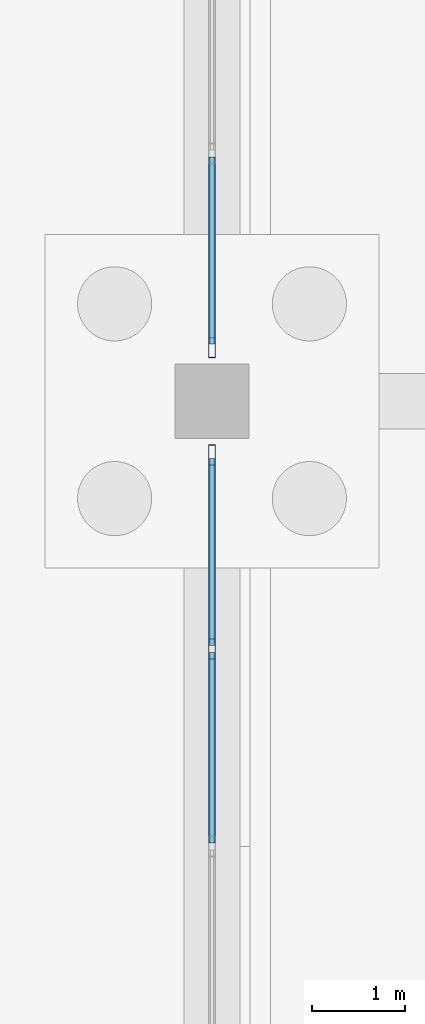
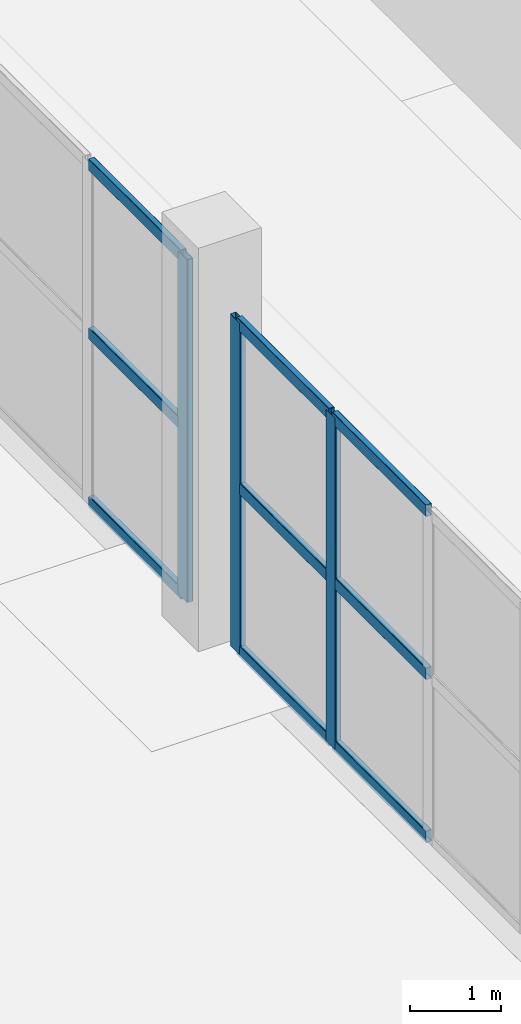
# One storey, part 19 of 65: 12 members, 2 elements without a shape of their own.
"""IFC4 building model written with IfcOpenShell, lengths in metres."""

from ifc_helpers import new_model, si_unit, direction, frame, origin, origin_2d, place, context, subcontext, project, spatial, hollow_rectangle, extrude, material, layer, layer_set, material_profile, profile_set, type_object, element, aggregate, save


model = new_model("IFC4")

# Units and contexts
model_context = context("Model", 3, precision=1e-05, world=origin(), true_north=direction((0.0, 1.0)))
body_context = subcontext(model_context, "Body", "Model", "MODEL_VIEW")
ifc_project = project(units=[si_unit("LENGTHUNIT", "METRE"), si_unit("AREAUNIT", "SQUARE_METRE"), si_unit("VOLUMEUNIT", "CUBIC_METRE"), si_unit("PLANEANGLEUNIT", "RADIAN"), si_unit("MASSUNIT", "GRAM", prefix="KILO")], contexts=[model_context])

# Site, building, storey
site_placement = place(None, origin())
site = spatial("IfcSite", under=ifc_project, at=site_placement, CompositionType="ELEMENT")
building_placement = place(site_placement, origin())
building = spatial("IfcBuilding", under=site, at=building_placement, Name="Zulmaris Art Gallery", CompositionType="ELEMENT")
storey_placement = place(building_placement, origin())
storey = spatial("IfcBuildingStorey", under=building, at=storey_placement, Name="L00", CompositionType="ELEMENT", Elevation=0.0)

# Curtain wall, members
ifc_material_1 = material(Name="Unitised Low-E Gallery Curtain Wall", Category="aluminium")
ifc_layer = layer(ifc_material_1, 0.179931640625)
ifc_layer_set = layer_set([ifc_layer], Name="Unitised Low-E Gallery Curtain Wall")
curtain_wall_type = type_object("IfcCurtainWallType", Name="CW-CW01", PredefinedType="NOTDEFINED", material=ifc_layer_set)
curtain_wall_1_placement = place(storey_placement, origin())
curtain_wall_1 = element("IfcCurtainWall", 1, at=curtain_wall_1_placement, inside=storey, type_object=curtain_wall_type, Name="L00 curtain wall 91", PredefinedType="NOTDEFINED")
ifc_material_2 = material(Name="Anodised Bronze Aluminium", Category="aluminium")
ifc_material_profile_1 = material_profile(ifc_material_2, hollow_rectangle(XDim=0.074951171875, YDim=0.219970703125, WallThickness=0.0048828125, InnerFilletRadius=0.007568359375, OuterFilletRadius=0.012451171875, at=origin_2d()), Name="ALU 75x220x5")
ifc_profile_set_1 = profile_set([ifc_material_profile_1], Name="Anodised Bronze Aluminium")
member_type_1 = type_object("IfcMemberType", Name="CWMUL-02", PredefinedType="MULLION", material=ifc_profile_set_1)
member_1_placement = place(storey_placement, frame((124.800048828125, 38.1298828125, 0.0), z_axis=(0.0, 0.0, 1.0), x_axis=(-1.0, 0.0, 0.0)))
member_1 = element("IfcMember", 2, at=member_1_placement, type_object=member_type_1, Name="CW01 mullion 4", PredefinedType="MULLION", context=body_context, shape_type="SweptSolid", body=[
    extrude(hollow_rectangle(XDim=0.074951171875, YDim=0.219970703125, WallThickness=0.0048828125, InnerFilletRadius=0.007568359375, OuterFilletRadius=0.012451171875, at=origin_2d()), origin(), (0.0, 0.0, 1.0), 4.43994140625),
])
member_2_placement = place(storey_placement, frame((124.800048828125, 40.222412109375, 0.0), z_axis=(0.0, 0.0, 1.0), x_axis=(-1.0, 0.0, 0.0)))
member_2 = element("IfcMember", 3, at=member_2_placement, type_object=member_type_1, Name="CW01 mullion 5", PredefinedType="MULLION", context=body_context, shape_type="SweptSolid", body=[
    extrude(hollow_rectangle(XDim=0.074951171875, YDim=0.219970703125, WallThickness=0.0048828125, InnerFilletRadius=0.007568359375, OuterFilletRadius=0.012451171875, at=origin_2d()), origin(), (0.0, 0.0, 1.0), 4.43994140625),
])

# Curtain wall, member
curtain_wall_2_placement = place(storey_placement, origin())
curtain_wall_2 = element("IfcCurtainWall", 4, at=curtain_wall_2_placement, inside=storey, type_object=curtain_wall_type, Name="L00 curtain wall 92", PredefinedType="NOTDEFINED")
member_3_placement = place(storey_placement, frame((124.800048828125, 41.37744140625, 0.0), z_axis=(0.0, 0.0, 1.0), x_axis=(-1.0, 0.0, 0.0)))
member_3 = element("IfcMember", 5, at=member_3_placement, type_object=member_type_1, Name="CW01 mullion 1", PredefinedType="MULLION", context=body_context, shape_type="SweptSolid", body=[
    extrude(hollow_rectangle(XDim=0.074951171875, YDim=0.219970703125, WallThickness=0.0048828125, InnerFilletRadius=0.007568359375, OuterFilletRadius=0.012451171875, at=origin_2d()), origin(), (0.0, 0.0, 1.0), 4.590087890625),
])

# Member
ifc_material_profile_2 = material_profile(ifc_material_2, hollow_rectangle(XDim=0.074951171875, YDim=0.159912109375, WallThickness=0.00390625, InnerFilletRadius=0.006103515625, OuterFilletRadius=0.010009765625, at=origin_2d()), Name="ALU 75x160x4")
ifc_profile_set_2 = profile_set([ifc_material_profile_2], Name="Anodised Bronze Aluminium")
member_type_2 = type_object("IfcMemberType", Name="CWTRN-02", PredefinedType="USERDEFINED", material=ifc_profile_set_2)
member_4_placement = place(storey_placement, frame((124.800048828125, 36.03759765625, 0.03759765625), z_axis=(0.0, 1.0, 0.0), x_axis=(-1.0, 0.0, 0.0)))
member_4 = element("IfcMember", 6, at=member_4_placement, type_object=member_type_2, Name="CW01 transom 3.1", ObjectType="TRANSOM", PredefinedType="USERDEFINED", context=body_context, shape_type="SweptSolid", body=[
    extrude(hollow_rectangle(XDim=0.074951171875, YDim=0.159912109375, WallThickness=0.00390625, InnerFilletRadius=0.006103515625, OuterFilletRadius=0.010009765625, at=origin_2d()), origin(), (0.0, 0.0, 1.0), 2.054931640625),
])

member_5_placement = place(storey_placement, frame((124.800048828125, 36.03759765625, 2.219970703125), z_axis=(0.0, 1.0, 0.0), x_axis=(-1.0, 0.0, 0.0)))
member_5 = element("IfcMember", 7, at=member_5_placement, type_object=member_type_2, Name="CW01 transom 3.2", ObjectType="TRANSOM", PredefinedType="USERDEFINED", context=body_context, shape_type="SweptSolid", body=[
    extrude(hollow_rectangle(XDim=0.074951171875, YDim=0.159912109375, WallThickness=0.00390625, InnerFilletRadius=0.006103515625, OuterFilletRadius=0.010009765625, at=origin_2d()), origin(), (0.0, 0.0, 1.0), 2.054931640625),
])

member_6_placement = place(storey_placement, frame((124.800048828125, 36.03759765625, 4.402587890625), z_axis=(0.0, 1.0, 0.0), x_axis=(-1.0, 0.0, 0.0)))
member_6 = element("IfcMember", 8, at=member_6_placement, type_object=member_type_2, Name="CW01 transom 3.3", ObjectType="TRANSOM", PredefinedType="USERDEFINED", context=body_context, shape_type="SweptSolid", body=[
    extrude(hollow_rectangle(XDim=0.074951171875, YDim=0.159912109375, WallThickness=0.00390625, InnerFilletRadius=0.006103515625, OuterFilletRadius=0.010009765625, at=origin_2d()), origin(), (0.0, 0.0, 1.0), 2.054931640625),
])

member_7_placement = place(storey_placement, frame((124.800048828125, 38.16748046875, 0.03759765625), z_axis=(0.0, 1.0, 0.0), x_axis=(-1.0, 0.0, 0.0)))
member_7 = element("IfcMember", 9, at=member_7_placement, type_object=member_type_2, Name="CW01 transom 4.1", ObjectType="TRANSOM", PredefinedType="USERDEFINED", context=body_context, shape_type="SweptSolid", body=[
    extrude(hollow_rectangle(XDim=0.074951171875, YDim=0.159912109375, WallThickness=0.00390625, InnerFilletRadius=0.006103515625, OuterFilletRadius=0.010009765625, at=origin_2d()), origin(), (0.0, 0.0, 1.0), 2.017578125),
])

member_8_placement = place(storey_placement, frame((124.800048828125, 38.16748046875, 2.219970703125), z_axis=(0.0, 1.0, 0.0), x_axis=(-1.0, 0.0, 0.0)))
member_8 = element("IfcMember", 10, at=member_8_placement, type_object=member_type_2, Name="CW01 transom 4.2", ObjectType="TRANSOM", PredefinedType="USERDEFINED", context=body_context, shape_type="SweptSolid", body=[
    extrude(hollow_rectangle(XDim=0.074951171875, YDim=0.159912109375, WallThickness=0.00390625, InnerFilletRadius=0.006103515625, OuterFilletRadius=0.010009765625, at=origin_2d()), origin(), (0.0, 0.0, 1.0), 2.017578125),
])

member_9_placement = place(storey_placement, frame((124.800048828125, 38.16748046875, 4.402587890625), z_axis=(0.0, 1.0, 0.0), x_axis=(-1.0, 0.0, 0.0)))
member_9 = element("IfcMember", 11, at=member_9_placement, type_object=member_type_2, Name="CW01 transom 4.3", ObjectType="TRANSOM", PredefinedType="USERDEFINED", context=body_context, shape_type="SweptSolid", body=[
    extrude(hollow_rectangle(XDim=0.074951171875, YDim=0.159912109375, WallThickness=0.00390625, InnerFilletRadius=0.006103515625, OuterFilletRadius=0.010009765625, at=origin_2d()), origin(), (0.0, 0.0, 1.0), 2.017578125),
])

aggregate(curtain_wall_1, [member_1, member_2, member_4, member_5, member_6, member_7, member_8, member_9])

member_10_placement = place(storey_placement, frame((124.800048828125, 41.4150390625, 0.03759765625), z_axis=(0.0, 1.0, 0.0), x_axis=(-1.0, 0.0, 0.0)))
member_10 = element("IfcMember", 12, at=member_10_placement, type_object=member_type_2, Name="CW01 transom 1.1", ObjectType="TRANSOM", PredefinedType="USERDEFINED", context=body_context, shape_type="SweptSolid", body=[
    extrude(hollow_rectangle(XDim=0.074951171875, YDim=0.159912109375, WallThickness=0.00390625, InnerFilletRadius=0.006103515625, OuterFilletRadius=0.010009765625, at=origin_2d()), origin(), (0.0, 0.0, 1.0), 2.017578125),
])

member_11_placement = place(storey_placement, frame((124.800048828125, 41.4150390625, 2.294921875), z_axis=(0.0, 1.0, 0.0), x_axis=(-1.0, 0.0, 0.0)))
member_11 = element("IfcMember", 13, at=member_11_placement, type_object=member_type_2, Name="CW01 transom 1.2", ObjectType="TRANSOM", PredefinedType="USERDEFINED", context=body_context, shape_type="SweptSolid", body=[
    extrude(hollow_rectangle(XDim=0.074951171875, YDim=0.159912109375, WallThickness=0.00390625, InnerFilletRadius=0.006103515625, OuterFilletRadius=0.010009765625, at=origin_2d()), origin(), (0.0, 0.0, 1.0), 2.017578125),
])

member_12_placement = place(storey_placement, frame((124.800048828125, 41.4150390625, 4.552490234375), z_axis=(0.0, 1.0, 0.0), x_axis=(-1.0, 0.0, 0.0)))
member_12 = element("IfcMember", 14, at=member_12_placement, type_object=member_type_2, Name="CW01 transom 1.3", ObjectType="TRANSOM", PredefinedType="USERDEFINED", context=body_context, shape_type="SweptSolid", body=[
    extrude(hollow_rectangle(XDim=0.074951171875, YDim=0.159912109375, WallThickness=0.00390625, InnerFilletRadius=0.006103515625, OuterFilletRadius=0.010009765625, at=origin_2d()), origin(), (0.0, 0.0, 1.0), 2.017578125),
])

aggregate(curtain_wall_2, [member_3, member_10, member_11, member_12])

save(model, "model.ifc")
